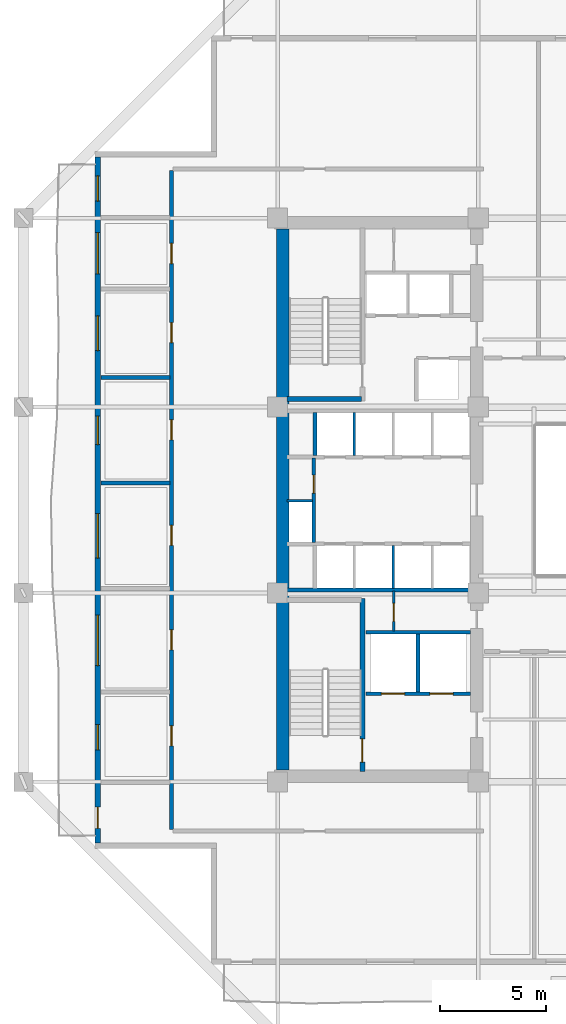
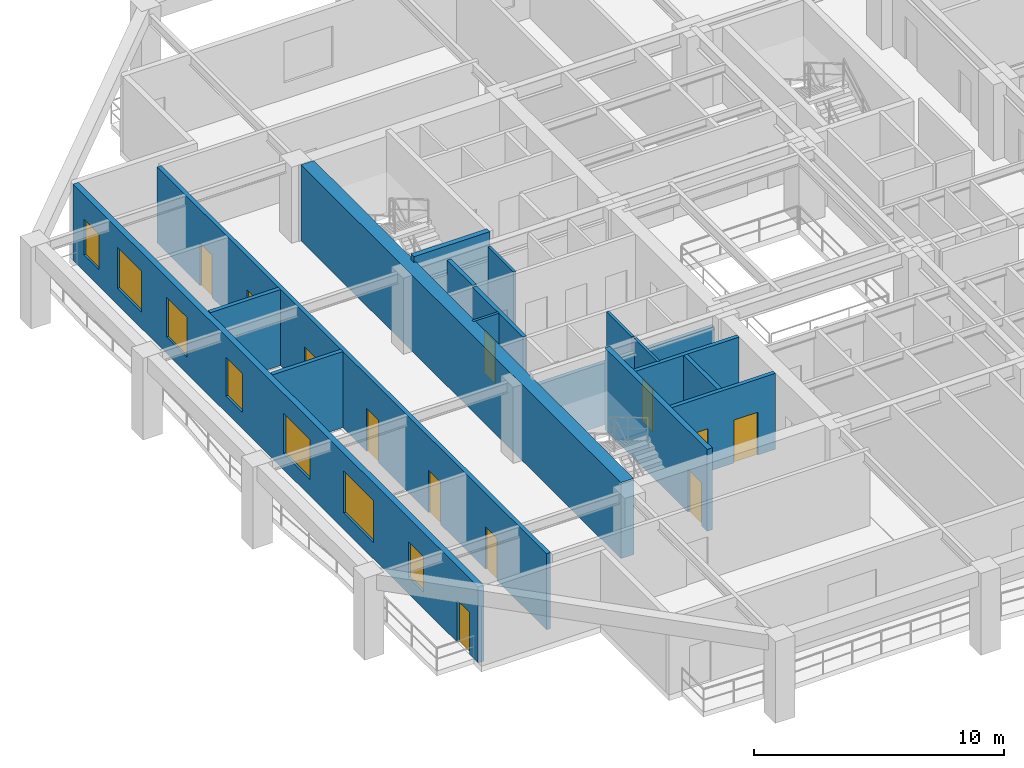
# One storey, part 3 of 14: 17 walls, 12 doors, 7 windows, 19 openings.
"""IFC4 building model written with IfcOpenShell, lengths in metres."""

from ifc_helpers import new_model, si_unit, direction, frame, frame_2d, origin, place, context, subcontext, project, spatial, rectangle, extrude, material, layer, layer_set, type_object, element, fill, save


model = new_model("IFC4")

# Units and contexts
model_context = context("Model", 3, precision=1e-05, world=origin(), true_north=direction((0.0, 1.0)))
body_context = subcontext(model_context, "Body", "Model", "MODEL_VIEW")
ifc_project = project(units=[si_unit("LENGTHUNIT", "METRE"), si_unit("AREAUNIT", "SQUARE_METRE"), si_unit("VOLUMEUNIT", "CUBIC_METRE"), si_unit("PLANEANGLEUNIT", "RADIAN"), si_unit("MASSUNIT", "GRAM", prefix="KILO")], contexts=[model_context])

# Site, building, storey
site_placement = place(None, origin())
site = spatial("IfcSite", under=ifc_project, at=site_placement, CompositionType="ELEMENT")
building_placement = place(site_placement, origin())
building = spatial("IfcBuilding", under=site, at=building_placement, Name="Kundavana Baori Tower", CompositionType="ELEMENT")
storey_placement = place(building_placement, frame((0.0, 0.0, 74.0)))
storey = spatial("IfcBuildingStorey", under=building, at=storey_placement, Name="L17", CompositionType="ELEMENT", Elevation=74.0)

# Wall, opening, door
ifc_material_1 = material(Name="Concrete C50/60", Category="concrete")
ifc_layer_1 = layer(ifc_material_1, 0.39990234375, Name="WL-CORE-400")
ifc_layer_set_1 = layer_set([ifc_layer_1], Name="Concrete C50/60")
wall_type_1 = type_object("IfcWallType", Name="WL-CORE-400", PredefinedType="SHEAR", material=ifc_layer_set_1)
wall_1_placement = place(storey_placement, frame((19.4599609375, 15.739990234375, 0.0), z_axis=(0.0, 0.0, 1.0), x_axis=(0.0, 1.0, 0.0)))
wall_1 = element("IfcWall", 1, at=wall_1_placement, inside=storey, type_object=wall_type_1, Name="WL-L17-ST1-E", PredefinedType="SHEAR", context=body_context, shape_type="SweptSolid", body=[
    extrude(rectangle(XDim=8.199951171875, YDim=0.239990234375, at=frame_2d((4.10009765625, 0.0))), origin(), (0.0, 0.0, 1.0), 4.0),
])
opening_1_placement = place(wall_1_placement, frame((0.449951171875, 0.0, 0.0)))
opening_1 = element("IfcOpeningElement", 2, at=opening_1_placement, cuts=wall_1, Name="Opening FD-110", PredefinedType="OPENING", context=body_context, shape_type="SweptSolid", body=[
    extrude(rectangle(XDim=1.10009765625, YDim=2.10009765625, at=frame_2d((0.550048828125, 1.050048828125))), frame((0.0, 0.1298828125, 0.0), z_axis=(0.0, -1.0, 0.0), x_axis=(1.0, 0.0, 0.0)), (0.0, 0.0, 1.0), 0.260009765625),
])
ifc_material_2 = material(Name="Galvanised Steel Fire-Rated Door Leaf", Category="steel")
door_type_1 = type_object("IfcDoorType", Name="DR-FD120-1100", OperationType="NOTDEFINED", PredefinedType="DOOR", material=ifc_material_2)
door_1_placement = place(opening_1_placement, origin())
door_1 = element("IfcDoor", 3, at=door_1_placement, inside=storey, type_object=door_type_1, Name="DR-L17-ST1", OperationType="SINGLE_SWING_LEFT", OverallHeight=2.10009765625, OverallWidth=1.10009765625, PredefinedType="DOOR", context=body_context, shape_type="SweptSolid", body=[
    extrude(rectangle(XDim=1.10009765625, YDim=2.10009765625, at=frame_2d((0.550048828125, 1.050048828125))), frame((0.0, 0.02490234375, 0.0), z_axis=(0.0, -1.0, 0.0), x_axis=(1.0, 0.0, 0.0)), (0.0, 0.0, 1.0), 0.050048828125),
])
fill(opening_1, door_1)

# Walls
wall_2_placement = place(storey_placement, frame((15.89990234375, 33.389892578125, 0.0), z_axis=(0.0, 0.0, 1.0), x_axis=(1.0, 0.0, 0.0)))
element("IfcWall", 4, at=wall_2_placement, inside=storey, type_object=wall_type_1, Name="WL-L17-ST2-S", PredefinedType="SHEAR", context=body_context, shape_type="SweptSolid", body=[
    extrude(rectangle(XDim=3.52001953125, YDim=0.239990234375, at=frame_2d((1.760009765625, 0.0))), origin(), (0.0, 0.0, 1.0), 4.0),
])
ifc_material_3 = material(Name="Concrete C60/75", Category="concrete")
ifc_layer_2 = layer(ifc_material_3, 0.60009765625, Name="WL-CORE-600")
ifc_layer_set_2 = layer_set([ifc_layer_2], Name="Concrete C60/75")
wall_type_2 = type_object("IfcWallType", Name="WL-CORE-600", PredefinedType="SHEAR", material=ifc_layer_set_2)
wall_3_placement = place(storey_placement, frame((15.68994140625, 15.81005859375, 0.0), z_axis=(0.0, 0.0, 1.0), x_axis=(0.0, 1.0, 0.0)))
element("IfcWall", 5, at=wall_3_placement, inside=storey, type_object=wall_type_2, Name="L17 Offset Core West Shear Wall", PredefinedType="SHEAR", context=body_context, shape_type="SweptSolid", body=[
    extrude(rectangle(XDim=25.6298828125, YDim=0.60009765625, at=frame_2d((12.81494140625, 0.0))), origin(), (0.0, 0.0, 1.0), 3.719970703125),
])

# Wall, openings, door, windows
ifc_material_4 = material(Name="Kiln-Fired Terracotta Brick-Slip Masonry on Concrete C40/50", Category="masonry")
ifc_layer_3 = layer(ifc_material_4, 0.260009765625, Name="WL-EXT-BRK-260")
ifc_layer_set_3 = layer_set([ifc_layer_3], Name="Kiln-Fired Terracotta Brick-Slip Masonry on Concrete C40/50")
wall_type_3 = type_object("IfcWallType", Name="WL-EXT-BRK-260", PredefinedType="SOLIDWALL", material=ifc_layer_set_3)
wall_4_placement = place(storey_placement, frame((6.929931640625, 44.840087890625, 0.0), z_axis=(0.0, 0.0, 1.0), x_axis=(0.0, -1.0, 0.0)))
wall_4 = element("IfcWall", 6, at=wall_4_placement, inside=storey, type_object=wall_type_3, Name="L17 Exterior Insulated Facade Wall 10", PredefinedType="SOLIDWALL", context=body_context, shape_type="SweptSolid", body=[
    extrude(rectangle(XDim=32.47998046875, YDim=0.260009765625, at=frame_2d((16.239990234375, 0.0))), origin(), (0.0, 0.0, 1.0), 3.719970703125),
])
opening_2_placement = place(wall_4_placement, frame((30.7900390625, 0.0, 0.0)))
opening_2 = element("IfcOpeningElement", 7, at=opening_2_placement, cuts=wall_4, Name="Opening BD-1", PredefinedType="OPENING", context=body_context, shape_type="SweptSolid", body=[
    extrude(rectangle(XDim=1.0, YDim=2.050048828125, at=frame_2d((0.5, 1.02490234375))), frame((0.0, 0.14013671875, 0.0), z_axis=(0.0, -1.0, 0.0), x_axis=(1.0, 0.0, 0.0)), (0.0, 0.0, 1.0), 0.280029296875),
])
opening_3_placement = place(wall_4_placement, frame((26.8798828125, 0.0, 0.800048828125)))
opening_3 = element("IfcOpeningElement", 8, at=opening_3_placement, cuts=wall_4, Name="Opening W-03", PredefinedType="OPENING", context=body_context, shape_type="SweptSolid", body=[
    extrude(rectangle(XDim=1.199951171875, YDim=1.75, at=frame_2d((0.60009765625, 0.875))), frame((0.0, 0.14013671875, 0.0), z_axis=(0.0, -1.0, 0.0), x_axis=(1.0, 0.0, 0.0)), (0.0, 0.0, 1.0), 0.280029296875),
])
opening_4_placement = place(wall_4_placement, frame((21.68994140625, 0.0, 0.800048828125)))
opening_4 = element("IfcOpeningElement", 9, at=opening_4_placement, cuts=wall_4, Name="Opening W-04", PredefinedType="OPENING", context=body_context, shape_type="SweptSolid", body=[
    extrude(rectangle(XDim=2.39990234375, YDim=2.050048828125, at=frame_2d((1.199951171875, 1.02490234375))), frame((0.0, 0.14013671875, 0.0), z_axis=(0.0, -1.0, 0.0), x_axis=(1.0, 0.0, 0.0)), (0.0, 0.0, 1.0), 0.280029296875),
])
opening_5_placement = place(wall_4_placement, frame((16.889892578125, 0.0, 0.800048828125)))
opening_5 = element("IfcOpeningElement", 10, at=opening_5_placement, cuts=wall_4, Name="Opening W-05", PredefinedType="OPENING", context=body_context, shape_type="SweptSolid", body=[
    extrude(rectangle(XDim=2.10009765625, YDim=1.949951171875, at=frame_2d((1.050048828125, 0.97509765625))), frame((0.0, 0.14013671875, 0.0), z_axis=(0.0, -1.0, 0.0), x_axis=(1.0, 0.0, 0.0)), (0.0, 0.0, 1.0), 0.280029296875),
])
opening_6_placement = place(wall_4_placement, frame((12.264892578125, 0.0, 0.800048828125)))
opening_6 = element("IfcOpeningElement", 11, at=opening_6_placement, cuts=wall_4, Name="Opening W-07", PredefinedType="OPENING", context=body_context, shape_type="SweptSolid", body=[
    extrude(rectangle(XDim=1.35009765625, YDim=1.89990234375, at=frame_2d((0.675048828125, 0.949951171875))), frame((0.0, 0.14013671875, 0.0), z_axis=(0.0, -1.0, 0.0), x_axis=(1.0, 0.0, 0.0)), (0.0, 0.0, 1.0), 0.280029296875),
])
opening_7_placement = place(wall_4_placement, frame((7.514892578125, 0.0, 0.800048828125)))
opening_7 = element("IfcOpeningElement", 12, at=opening_7_placement, cuts=wall_4, Name="Opening W-08", PredefinedType="OPENING", context=body_context, shape_type="SweptSolid", body=[
    extrude(rectangle(XDim=1.64990234375, YDim=1.949951171875, at=frame_2d((0.824951171875, 0.97509765625))), frame((0.0, 0.14013671875, 0.0), z_axis=(0.0, -1.0, 0.0), x_axis=(1.0, 0.0, 0.0)), (0.0, 0.0, 1.0), 0.280029296875),
])
opening_8_placement = place(wall_4_placement, frame((3.574951171875, 0.0, 0.800048828125)))
opening_8 = element("IfcOpeningElement", 13, at=opening_8_placement, cuts=wall_4, Name="Opening W-09", PredefinedType="OPENING", context=body_context, shape_type="SweptSolid", body=[
    extrude(rectangle(XDim=1.949951171875, YDim=2.0, at=frame_2d((0.97509765625, 1.0))), frame((0.0, 0.14013671875, 0.0), z_axis=(0.0, -1.0, 0.0), x_axis=(1.0, 0.0, 0.0)), (0.0, 0.0, 1.0), 0.280029296875),
])
opening_9_placement = place(wall_4_placement, frame((0.885009765625, 0.0, 0.800048828125)))
opening_9 = element("IfcOpeningElement", 14, at=opening_9_placement, cuts=wall_4, Name="Opening W-03", PredefinedType="OPENING", context=body_context, shape_type="SweptSolid", body=[
    extrude(rectangle(XDim=1.199951171875, YDim=1.75, at=frame_2d((0.60009765625, 0.875))), frame((0.0, 0.14013671875, 0.0), z_axis=(0.0, -1.0, 0.0), x_axis=(1.0, 0.0, 0.0)), (0.0, 0.0, 1.0), 0.280029296875),
])
ifc_material_5 = material(Name="Architectural Patinated Bronze Metalwork")
door_type_2 = type_object("IfcDoorType", Name="DR-EXT-LOG-1000", OperationType="NOTDEFINED", PredefinedType="DOOR", material=ifc_material_5)
door_2_placement = place(opening_2_placement, frame((1.0, 0.0, 0.0), z_axis=(0.0, 0.0, 1.0), x_axis=(-1.0, 0.0, 0.0)))
door_2 = element("IfcDoor", 15, at=door_2_placement, inside=storey, type_object=door_type_2, Name="L17 Loggia Balcony Access Door W", OperationType="SINGLE_SWING_RIGHT", OverallHeight=2.050048828125, OverallWidth=1.0, PredefinedType="DOOR", context=body_context, shape_type="SweptSolid", body=[
    extrude(rectangle(XDim=1.0, YDim=2.050048828125, at=frame_2d((0.5, 1.02490234375))), frame((0.0, 0.02490234375, 0.0), z_axis=(0.0, -1.0, 0.0), x_axis=(1.0, 0.0, 0.0)), (0.0, 0.0, 1.0), 0.050048828125),
])
fill(opening_2, door_2)
ifc_material_6 = material(Name="Double-Glazed Solar-Control Low-E Insulated Glass", Category="glass")
window_type_1 = type_object("IfcWindowType", Name="WIN-LOG-1200x1750", PartitioningType="SINGLE_PANEL", PredefinedType="WINDOW", material=ifc_material_6)
window_1_placement = place(opening_3_placement, origin())
window_1 = element("IfcWindow", 16, at=window_1_placement, inside=storey, type_object=window_type_1, Name="L17 Recessed Loggia Window W-2", OverallHeight=1.75, OverallWidth=1.199951171875, PartitioningType="SINGLE_PANEL", PredefinedType="WINDOW", context=body_context, shape_type="SweptSolid", body=[
    extrude(rectangle(XDim=1.199951171875, YDim=1.75, at=frame_2d((0.60009765625, 0.875))), frame((0.0, 0.030029296875, 0.0), z_axis=(0.0, -1.0, 0.0), x_axis=(1.0, 0.0, 0.0)), (0.0, 0.0, 1.0), 0.06005859375),
])
fill(opening_3, window_1)
window_2_placement = place(opening_9_placement, origin())
window_2 = element("IfcWindow", 17, at=window_2_placement, inside=storey, type_object=window_type_1, Name="L17 Recessed Loggia Window W-8", OverallHeight=1.75, OverallWidth=1.199951171875, PartitioningType="SINGLE_PANEL", PredefinedType="WINDOW", context=body_context, shape_type="SweptSolid", body=[
    extrude(rectangle(XDim=1.199951171875, YDim=1.75, at=frame_2d((0.60009765625, 0.875))), frame((0.0, 0.030029296875, 0.0), z_axis=(0.0, -1.0, 0.0), x_axis=(1.0, 0.0, 0.0)), (0.0, 0.0, 1.0), 0.06005859375),
])
fill(opening_9, window_2)
ifc_material_7 = material(Name="Double-Glazed Solar-Control Low-E Insulated Glass", Category="glass")
window_type_2 = type_object("IfcWindowType", Name="WIN-LOG-1350x1900", PartitioningType="SINGLE_PANEL", PredefinedType="WINDOW", material=ifc_material_7)
window_3_placement = place(opening_6_placement, origin())
window_3 = element("IfcWindow", 18, at=window_3_placement, inside=storey, type_object=window_type_2, Name="L17 Recessed Loggia Window W-5", OverallHeight=1.89990234375, OverallWidth=1.35009765625, PartitioningType="SINGLE_PANEL", PredefinedType="WINDOW", context=body_context, shape_type="SweptSolid", body=[
    extrude(rectangle(XDim=1.35009765625, YDim=1.89990234375, at=frame_2d((0.675048828125, 0.949951171875))), frame((0.0, 0.030029296875, 0.0), z_axis=(0.0, -1.0, 0.0), x_axis=(1.0, 0.0, 0.0)), (0.0, 0.0, 1.0), 0.06005859375),
])
fill(opening_6, window_3)
ifc_material_8 = material(Name="Double-Glazed Solar-Control Low-E Insulated Glass", Category="glass")
window_type_3 = type_object("IfcWindowType", Name="WIN-LOG-1650x1950", PartitioningType="SINGLE_PANEL", PredefinedType="WINDOW", material=ifc_material_8)
window_4_placement = place(opening_7_placement, origin())
window_4 = element("IfcWindow", 19, at=window_4_placement, inside=storey, type_object=window_type_3, Name="L17 Recessed Loggia Window W-6", OverallHeight=1.949951171875, OverallWidth=1.64990234375, PartitioningType="SINGLE_PANEL", PredefinedType="WINDOW", context=body_context, shape_type="SweptSolid", body=[
    extrude(rectangle(XDim=1.64990234375, YDim=1.949951171875, at=frame_2d((0.824951171875, 0.97509765625))), frame((0.0, 0.030029296875, 0.0), z_axis=(0.0, -1.0, 0.0), x_axis=(1.0, 0.0, 0.0)), (0.0, 0.0, 1.0), 0.06005859375),
])
fill(opening_7, window_4)
ifc_material_9 = material(Name="Double-Glazed Solar-Control Low-E Insulated Glass", Category="glass")
window_type_4 = type_object("IfcWindowType", Name="WIN-LOG-1950x2000", PartitioningType="SINGLE_PANEL", PredefinedType="WINDOW", material=ifc_material_9)
window_5_placement = place(opening_8_placement, origin())
window_5 = element("IfcWindow", 20, at=window_5_placement, inside=storey, type_object=window_type_4, Name="L17 Recessed Loggia Window W-7", OverallHeight=2.0, OverallWidth=1.949951171875, PartitioningType="SINGLE_PANEL", PredefinedType="WINDOW", context=body_context, shape_type="SweptSolid", body=[
    extrude(rectangle(XDim=1.949951171875, YDim=2.0, at=frame_2d((0.97509765625, 1.0))), frame((0.0, 0.030029296875, 0.0), z_axis=(0.0, -1.0, 0.0), x_axis=(1.0, 0.0, 0.0)), (0.0, 0.0, 1.0), 0.06005859375),
])
fill(opening_8, window_5)
ifc_material_10 = material(Name="Double-Glazed Solar-Control Low-E Insulated Glass", Category="glass")
window_type_5 = type_object("IfcWindowType", Name="WIN-LOG-2100x1950", PartitioningType="SINGLE_PANEL", PredefinedType="WINDOW", material=ifc_material_10)
window_6_placement = place(opening_5_placement, origin())
window_6 = element("IfcWindow", 21, at=window_6_placement, inside=storey, type_object=window_type_5, Name="L17 Recessed Loggia Window W-4", OverallHeight=1.949951171875, OverallWidth=2.10009765625, PartitioningType="SINGLE_PANEL", PredefinedType="WINDOW", context=body_context, shape_type="SweptSolid", body=[
    extrude(rectangle(XDim=2.10009765625, YDim=1.949951171875, at=frame_2d((1.050048828125, 0.97509765625))), frame((0.0, 0.030029296875, 0.0), z_axis=(0.0, -1.0, 0.0), x_axis=(1.0, 0.0, 0.0)), (0.0, 0.0, 1.0), 0.06005859375),
])
fill(opening_5, window_6)
ifc_material_11 = material(Name="Double-Glazed Solar-Control Low-E Insulated Glass", Category="glass")
window_type_6 = type_object("IfcWindowType", Name="WIN-LOG-2400x2050", PartitioningType="SINGLE_PANEL", PredefinedType="WINDOW", material=ifc_material_11)
window_7_placement = place(opening_4_placement, origin())
window_7 = element("IfcWindow", 22, at=window_7_placement, inside=storey, type_object=window_type_6, Name="L17 Recessed Loggia Window W-3", OverallHeight=2.050048828125, OverallWidth=2.39990234375, PartitioningType="SINGLE_PANEL", PredefinedType="WINDOW", context=body_context, shape_type="SweptSolid", body=[
    extrude(rectangle(XDim=2.39990234375, YDim=2.050048828125, at=frame_2d((1.199951171875, 1.02490234375))), frame((0.0, 0.030029296875, 0.0), z_axis=(0.0, -1.0, 0.0), x_axis=(1.0, 0.0, 0.0)), (0.0, 0.0, 1.0), 0.06005859375),
])
fill(opening_4, window_7)

# Wall, opening, door
ifc_material_12 = material(Name="Acoustic Gypsum Plasterboard on Galvanised Steel Studs", Category="steel")
ifc_layer_4 = layer(ifc_material_12, 0.1201171875, Name="WL-PART-120")
ifc_layer_set_4 = layer_set([ifc_layer_4], Name="Acoustic Gypsum Plasterboard on Galvanised Steel Studs")
wall_type_4 = type_object("IfcWallType", Name="WL-PART-120", PredefinedType="PARTITIONING", material=ifc_layer_set_4)
wall_5_placement = place(storey_placement, frame((20.949951171875, 22.39990234375, 0.0), z_axis=(0.0, 0.0, 1.0), x_axis=(0.0, 1.0, 0.0)))
wall_5 = element("IfcWall", 23, at=wall_5_placement, inside=storey, type_object=wall_type_4, Name="WL-L17-CSMK-D2", PredefinedType="PARTITIONING", context=body_context, shape_type="SweptSolid", body=[
    extrude(rectangle(XDim=1.880126953125, YDim=0.1201171875, at=frame_2d((0.93994140625, 0.0))), origin(), (0.0, 0.0, 1.0), 3.719970703125),
])
opening_10_placement = place(wall_5_placement, frame((0.449951171875, 0.0, 0.0)))
opening_10 = element("IfcOpeningElement", 24, at=opening_10_placement, cuts=wall_5, Name="Opening FD-085", PredefinedType="OPENING", context=body_context, shape_type="SweptSolid", body=[
    extrude(rectangle(XDim=0.85009765625, YDim=2.06005859375, at=frame_2d((0.425048828125, 1.030029296875))), frame((0.0, 0.070068359375, 0.0), z_axis=(0.0, -1.0, 0.0), x_axis=(1.0, 0.0, 0.0)), (0.0, 0.0, 1.0), 0.14013671875),
])
ifc_material_13 = material(Name="Galvanised Steel Fire-Rated Door Leaf", Category="steel")
door_type_3 = type_object("IfcDoorType", Name="DR-FD60-850", OperationType="NOTDEFINED", PredefinedType="DOOR", material=ifc_material_13)
door_3_placement = place(opening_10_placement, origin())
door_3 = element("IfcDoor", 25, at=door_3_placement, inside=storey, type_object=door_type_3, Name="DR-L17-CSMK1", OperationType="SINGLE_SWING_RIGHT", OverallHeight=2.06005859375, OverallWidth=0.85009765625, PredefinedType="DOOR", context=body_context, shape_type="SweptSolid", body=[
    extrude(rectangle(XDim=0.85009765625, YDim=2.06005859375, at=frame_2d((0.425048828125, 1.030029296875))), frame((0.0, 0.02490234375, 0.0), z_axis=(0.0, -1.0, 0.0), x_axis=(1.0, 0.0, 0.0)), (0.0, 0.0, 1.0), 0.050048828125),
])
fill(opening_10, door_3)

# Walls
wall_6_placement = place(storey_placement, frame((20.919921875, 24.39990234375, 0.0), z_axis=(0.0, 0.0, 1.0), x_axis=(0.0, 1.0, 0.0)))
element("IfcWall", 26, at=wall_6_placement, inside=storey, type_object=wall_type_4, Name="WL-L17-LPLOW-D2", PredefinedType="PARTITIONING", context=body_context, shape_type="SweptSolid", body=[
    extrude(rectangle(XDim=2.050048828125, YDim=0.1201171875, at=frame_2d((1.02490234375, 0.0))), origin(), (0.0, 0.0, 1.0), 3.719970703125),
])
wall_7_placement = place(storey_placement, frame((15.89990234375, 28.56005859375, 0.0), z_axis=(0.0, 0.0, 1.0), x_axis=(1.0, 0.0, 0.0)))
element("IfcWall", 27, at=wall_7_placement, inside=storey, type_object=wall_type_4, Name="WL-L17-RSRW-N", PredefinedType="PARTITIONING", context=body_context, shape_type="SweptSolid", body=[
    extrude(rectangle(XDim=1.2001953125, YDim=0.1201171875, at=frame_2d((0.60009765625, 0.0))), origin(), (0.0, 0.0, 1.0), 3.719970703125),
])
wall_8_placement = place(storey_placement, frame((19.080078125, 30.699951171875, 0.0), z_axis=(0.0, 0.0, 1.0), x_axis=(0.0, 1.0, 0.0)))
element("IfcWall", 28, at=wall_8_placement, inside=storey, type_object=wall_type_4, Name="WL-L17-LPMID-D1", PredefinedType="PARTITIONING", context=body_context, shape_type="SweptSolid", body=[
    extrude(rectangle(XDim=2.050048828125, YDim=0.1201171875, at=frame_2d((1.02490234375, 0.0))), origin(), (0.0, 0.0, 1.0), 3.719970703125),
])

# Wall, openings, doors
ifc_material_14 = material(Name="Autoclaved Aerated Concrete Blockwork Masonry", Category="masonry")
ifc_layer_5 = layer(ifc_material_14, 0.18505859375, Name="WL-PART-180")
ifc_layer_set_5 = layer_set([ifc_layer_5], Name="Autoclaved Aerated Concrete Blockwork Masonry")
wall_type_5 = type_object("IfcWallType", Name="WL-PART-180", PredefinedType="SOLIDWALL", material=ifc_layer_set_5)
wall_9_placement = place(storey_placement, frame((10.419921875, 13.0, 0.0), z_axis=(0.0, 0.0, 1.0), x_axis=(0.0, 1.0, 0.0)))
wall_9 = element("IfcWall", 29, at=wall_9_placement, inside=storey, type_object=wall_type_5, Name="WL-L17-OW", PredefinedType="SOLIDWALL", context=body_context, shape_type="SweptSolid", body=[
    extrude(rectangle(XDim=31.199951171875, YDim=0.18505859375, at=frame_2d((15.60009765625, 0.0))), origin(), (0.0, 0.0, 1.0), 3.719970703125),
])
opening_11_placement = place(wall_9_placement, frame((3.949951171875, 0.0, 0.0)))
opening_11 = element("IfcOpeningElement", 30, at=opening_11_placement, cuts=wall_9, Name="Opening ID-095", PredefinedType="OPENING", context=body_context, shape_type="SweptSolid", body=[
    extrude(rectangle(XDim=0.949951171875, YDim=2.080078125, at=frame_2d((0.47509765625, 1.0400390625))), frame((0.0, 0.1025390625, 0.0), z_axis=(0.0, -1.0, 0.0), x_axis=(1.0, 0.0, 0.0)), (0.0, 0.0, 1.0), 0.205078125),
])
opening_12_placement = place(wall_9_placement, frame((8.5, 0.0, 0.0)))
opening_12 = element("IfcOpeningElement", 31, at=opening_12_placement, cuts=wall_9, Name="Opening ID-095", PredefinedType="OPENING", context=body_context, shape_type="SweptSolid", body=[
    extrude(rectangle(XDim=0.949951171875, YDim=2.080078125, at=frame_2d((0.47509765625, 1.0400390625))), frame((0.0, 0.1025390625, 0.0), z_axis=(0.0, -1.0, 0.0), x_axis=(1.0, 0.0, 0.0)), (0.0, 0.0, 1.0), 0.205078125),
])
opening_13_placement = place(wall_9_placement, frame((13.449951171875, 0.0, 0.0)))
opening_13 = element("IfcOpeningElement", 32, at=opening_13_placement, cuts=wall_9, Name="Opening ID-095", PredefinedType="OPENING", context=body_context, shape_type="SweptSolid", body=[
    extrude(rectangle(XDim=0.949951171875, YDim=2.080078125, at=frame_2d((0.47509765625, 1.0400390625))), frame((0.0, 0.1025390625, 0.0), z_axis=(0.0, -1.0, 0.0), x_axis=(1.0, 0.0, 0.0)), (0.0, 0.0, 1.0), 0.205078125),
])
opening_14_placement = place(wall_9_placement, frame((18.449951171875, 0.0, 0.0)))
opening_14 = element("IfcOpeningElement", 33, at=opening_14_placement, cuts=wall_9, Name="Opening ID-095", PredefinedType="OPENING", context=body_context, shape_type="SweptSolid", body=[
    extrude(rectangle(XDim=0.949951171875, YDim=2.080078125, at=frame_2d((0.47509765625, 1.0400390625))), frame((0.0, 0.1025390625, 0.0), z_axis=(0.0, -1.0, 0.0), x_axis=(1.0, 0.0, 0.0)), (0.0, 0.0, 1.0), 0.205078125),
])
opening_15_placement = place(wall_9_placement, frame((23.050048828125, 0.0, 0.0)))
opening_15 = element("IfcOpeningElement", 34, at=opening_15_placement, cuts=wall_9, Name="Opening ID-095", PredefinedType="OPENING", context=body_context, shape_type="SweptSolid", body=[
    extrude(rectangle(XDim=0.949951171875, YDim=2.080078125, at=frame_2d((0.47509765625, 1.0400390625))), frame((0.0, 0.1025390625, 0.0), z_axis=(0.0, -1.0, 0.0), x_axis=(1.0, 0.0, 0.0)), (0.0, 0.0, 1.0), 0.205078125),
])
opening_16_placement = place(wall_9_placement, frame((26.800048828125, 0.0, 0.0)))
opening_16 = element("IfcOpeningElement", 35, at=opening_16_placement, cuts=wall_9, Name="Opening ID-095", PredefinedType="OPENING", context=body_context, shape_type="SweptSolid", body=[
    extrude(rectangle(XDim=0.949951171875, YDim=2.080078125, at=frame_2d((0.47509765625, 1.0400390625))), frame((0.0, 0.1025390625, 0.0), z_axis=(0.0, -1.0, 0.0), x_axis=(1.0, 0.0, 0.0)), (0.0, 0.0, 1.0), 0.205078125),
])
ifc_material_15 = material(Name="Engineered Teak Solid-Core Timber Veneer", Category="wood")
door_type_4 = type_object("IfcDoorType", Name="DR-INT-950", OperationType="NOTDEFINED", PredefinedType="DOOR", material=ifc_material_15)
door_4_placement = place(opening_11_placement, frame((0.949951171875, 0.0, 0.0), z_axis=(0.0, 0.0, 1.0), x_axis=(-1.0, 0.0, 0.0)))
door_4 = element("IfcDoor", 36, at=door_4_placement, inside=storey, type_object=door_type_4, Name="DR-L17-OFW1", OperationType="SINGLE_SWING_LEFT", OverallHeight=2.080078125, OverallWidth=0.949951171875, PredefinedType="DOOR", context=body_context, shape_type="SweptSolid", body=[
    extrude(rectangle(XDim=0.949951171875, YDim=2.080078125, at=frame_2d((0.47509765625, 1.0400390625))), frame((0.0, 0.02490234375, 0.0), z_axis=(0.0, -1.0, 0.0), x_axis=(1.0, 0.0, 0.0)), (0.0, 0.0, 1.0), 0.050048828125),
])
fill(opening_11, door_4)
door_5_placement = place(opening_12_placement, frame((0.949951171875, 0.0, 0.0), z_axis=(0.0, 0.0, 1.0), x_axis=(-1.0, 0.0, 0.0)))
door_5 = element("IfcDoor", 37, at=door_5_placement, inside=storey, type_object=door_type_4, Name="DR-L17-OFW2", OperationType="SINGLE_SWING_RIGHT", OverallHeight=2.080078125, OverallWidth=0.949951171875, PredefinedType="DOOR", context=body_context, shape_type="SweptSolid", body=[
    extrude(rectangle(XDim=0.949951171875, YDim=2.080078125, at=frame_2d((0.47509765625, 1.0400390625))), frame((0.0, 0.02490234375, 0.0), z_axis=(0.0, -1.0, 0.0), x_axis=(1.0, 0.0, 0.0)), (0.0, 0.0, 1.0), 0.050048828125),
])
fill(opening_12, door_5)
door_6_placement = place(opening_13_placement, frame((0.949951171875, 0.0, 0.0), z_axis=(0.0, 0.0, 1.0), x_axis=(-1.0, 0.0, 0.0)))
door_6 = element("IfcDoor", 38, at=door_6_placement, inside=storey, type_object=door_type_4, Name="DR-L17-OFW3", OperationType="SINGLE_SWING_LEFT", OverallHeight=2.080078125, OverallWidth=0.949951171875, PredefinedType="DOOR", context=body_context, shape_type="SweptSolid", body=[
    extrude(rectangle(XDim=0.949951171875, YDim=2.080078125, at=frame_2d((0.47509765625, 1.0400390625))), frame((0.0, 0.02490234375, 0.0), z_axis=(0.0, -1.0, 0.0), x_axis=(1.0, 0.0, 0.0)), (0.0, 0.0, 1.0), 0.050048828125),
])
fill(opening_13, door_6)
door_7_placement = place(opening_14_placement, frame((0.949951171875, 0.0, 0.0), z_axis=(0.0, 0.0, 1.0), x_axis=(-1.0, 0.0, 0.0)))
door_7 = element("IfcDoor", 39, at=door_7_placement, inside=storey, type_object=door_type_4, Name="DR-L17-OFW4", OperationType="SINGLE_SWING_RIGHT", OverallHeight=2.080078125, OverallWidth=0.949951171875, PredefinedType="DOOR", context=body_context, shape_type="SweptSolid", body=[
    extrude(rectangle(XDim=0.949951171875, YDim=2.080078125, at=frame_2d((0.47509765625, 1.0400390625))), frame((0.0, 0.02490234375, 0.0), z_axis=(0.0, -1.0, 0.0), x_axis=(1.0, 0.0, 0.0)), (0.0, 0.0, 1.0), 0.050048828125),
])
fill(opening_14, door_7)
door_8_placement = place(opening_15_placement, frame((0.949951171875, 0.0, 0.0), z_axis=(0.0, 0.0, 1.0), x_axis=(-1.0, 0.0, 0.0)))
door_8 = element("IfcDoor", 40, at=door_8_placement, inside=storey, type_object=door_type_4, Name="DR-L17-OFW5", OperationType="SINGLE_SWING_LEFT", OverallHeight=2.080078125, OverallWidth=0.949951171875, PredefinedType="DOOR", context=body_context, shape_type="SweptSolid", body=[
    extrude(rectangle(XDim=0.949951171875, YDim=2.080078125, at=frame_2d((0.47509765625, 1.0400390625))), frame((0.0, 0.02490234375, 0.0), z_axis=(0.0, -1.0, 0.0), x_axis=(1.0, 0.0, 0.0)), (0.0, 0.0, 1.0), 0.050048828125),
])
fill(opening_15, door_8)
door_9_placement = place(opening_16_placement, frame((0.949951171875, 0.0, 0.0), z_axis=(0.0, 0.0, 1.0), x_axis=(-1.0, 0.0, 0.0)))
door_9 = element("IfcDoor", 41, at=door_9_placement, inside=storey, type_object=door_type_4, Name="DR-L17-OFW6", OperationType="SINGLE_SWING_RIGHT", OverallHeight=2.080078125, OverallWidth=0.949951171875, PredefinedType="DOOR", context=body_context, shape_type="SweptSolid", body=[
    extrude(rectangle(XDim=0.949951171875, YDim=2.080078125, at=frame_2d((0.47509765625, 1.0400390625))), frame((0.0, 0.02490234375, 0.0), z_axis=(0.0, -1.0, 0.0), x_axis=(1.0, 0.0, 0.0)), (0.0, 0.0, 1.0), 0.050048828125),
])
fill(opening_16, door_9)

# Walls
for number, where, z_axis, x_axis, name in (
    (42, (7.080078125, 29.39990234375, 0.0), (0.0, 0.0, 1.0), (1.0, 0.0, 0.0), "WL-L17-WD3"),
    (43, (7.080078125, 34.39990234375, 0.0), (0.0, 0.0, 1.0), (1.0, 0.0, 0.0), "WL-L17-WD4"),
):
    element("IfcWall", number, at=place(storey_placement, frame(where, z_axis=z_axis, x_axis=x_axis)), inside=storey, type_object=wall_type_5, Name=name, PredefinedType="SOLIDWALL", context=body_context, shape_type="SweptSolid", body=[
        extrude(rectangle(XDim=3.260009765625, YDim=0.18505859375, at=frame_2d((1.6298828125, 0.0))), origin(), (0.0, 0.0, 1.0), 3.719970703125),
    ])

# Wall, openings, doors
ifc_material_16 = material(Name="Autoclaved Aerated Concrete Blockwork Masonry", Category="masonry")
ifc_layer_6 = layer(ifc_material_16, 0.179931640625, Name="WL-SHAFT-180")
ifc_layer_set_6 = layer_set([ifc_layer_6], Name="Autoclaved Aerated Concrete Blockwork Masonry")
wall_type_6 = type_object("IfcWallType", Name="WL-SHAFT-180", PredefinedType="SOLIDWALL", material=ifc_layer_set_6)
wall_10_placement = place(storey_placement, frame((19.639892578125, 19.419921875, 0.0), z_axis=(0.0, 0.0, 1.0), x_axis=(1.0, 0.0, 0.0)))
wall_10 = element("IfcWall", 44, at=wall_10_placement, inside=storey, type_object=wall_type_6, Name="WL-L17-FFL-S", PredefinedType="SOLIDWALL", context=body_context, shape_type="SweptSolid", body=[
    extrude(rectangle(XDim=4.940185546875, YDim=0.179931640625, at=frame_2d((2.47021484375, 0.0))), origin(), (0.0, 0.0, 1.0), 3.719970703125),
])
opening_17_placement = place(wall_10_placement, frame((0.719970703125, 0.0, 0.0)))
opening_17 = element("IfcOpeningElement", 45, at=opening_17_placement, cuts=wall_10, Name="Opening LD-110", PredefinedType="OPENING", context=body_context, shape_type="SweptSolid", body=[
    extrude(rectangle(XDim=1.10009765625, YDim=2.10009765625, at=frame_2d((0.550048828125, 1.050048828125))), frame((0.0, 0.10009765625, 0.0), z_axis=(0.0, -1.0, 0.0), x_axis=(1.0, 0.0, 0.0)), (0.0, 0.0, 1.0), 0.199951171875),
])
opening_18_placement = place(wall_10_placement, frame((3.02001953125, 0.0, 0.0)))
opening_18 = element("IfcOpeningElement", 46, at=opening_18_placement, cuts=wall_10, Name="Opening LD-110", PredefinedType="OPENING", context=body_context, shape_type="SweptSolid", body=[
    extrude(rectangle(XDim=1.10009765625, YDim=2.10009765625, at=frame_2d((0.550048828125, 1.050048828125))), frame((0.0, 0.10009765625, 0.0), z_axis=(0.0, -1.0, 0.0), x_axis=(1.0, 0.0, 0.0)), (0.0, 0.0, 1.0), 0.199951171875),
])
ifc_material_17 = material(Name="Galvanised Steel Fire-Rated Door Leaf", Category="steel")
door_type_5 = type_object("IfcDoorType", Name="DR-SLIDE-LD1100", OperationType="NOTDEFINED", PredefinedType="DOOR", material=ifc_material_17)
door_10_placement = place(opening_17_placement, origin())
door_10 = element("IfcDoor", 47, at=door_10_placement, inside=storey, type_object=door_type_5, Name="DR-L17-LD-FFL-1", OperationType="DOUBLE_DOOR_SLIDING", OverallHeight=2.10009765625, OverallWidth=1.10009765625, PredefinedType="DOOR", context=body_context, shape_type="SweptSolid", body=[
    extrude(rectangle(XDim=1.10009765625, YDim=2.10009765625, at=frame_2d((0.550048828125, 1.050048828125))), frame((0.0, 0.02490234375, 0.0), z_axis=(0.0, -1.0, 0.0), x_axis=(1.0, 0.0, 0.0)), (0.0, 0.0, 1.0), 0.050048828125),
])
fill(opening_17, door_10)
door_11_placement = place(opening_18_placement, origin())
door_11 = element("IfcDoor", 48, at=door_11_placement, inside=storey, type_object=door_type_5, Name="DR-L17-LD-FFL-2", OperationType="DOUBLE_DOOR_SLIDING", OverallHeight=2.10009765625, OverallWidth=1.10009765625, PredefinedType="DOOR", context=body_context, shape_type="SweptSolid", body=[
    extrude(rectangle(XDim=1.10009765625, YDim=2.10009765625, at=frame_2d((0.550048828125, 1.050048828125))), frame((0.0, 0.02490234375, 0.0), z_axis=(0.0, -1.0, 0.0), x_axis=(1.0, 0.0, 0.0)), (0.0, 0.0, 1.0), 0.050048828125),
])
fill(opening_18, door_11)

# Walls
wall_11_placement = place(storey_placement, frame((22.10009765625, 19.510009765625, 0.0), z_axis=(0.0, 0.0, 1.0), x_axis=(0.0, 1.0, 0.0)))
element("IfcWall", 49, at=wall_11_placement, inside=storey, type_object=wall_type_6, Name="WL-L17-FFL-MID", PredefinedType="SOLIDWALL", context=body_context, shape_type="SweptSolid", body=[
    extrude(rectangle(XDim=2.739990234375, YDim=0.179931640625, at=frame_2d((1.3701171875, 0.0))), origin(), (0.0, 0.0, 1.0), 3.719970703125),
])
wall_12_placement = place(storey_placement, frame((19.639892578125, 22.340087890625, 0.0), z_axis=(0.0, 0.0, 1.0), x_axis=(1.0, 0.0, 0.0)))
element("IfcWall", 50, at=wall_12_placement, inside=storey, type_object=wall_type_6, Name="WL-L17-FFL-N", PredefinedType="SOLIDWALL", context=body_context, shape_type="SweptSolid", body=[
    extrude(rectangle(XDim=4.940185546875, YDim=0.179931640625, at=frame_2d((2.47021484375, 0.0))), origin(), (0.0, 0.0, 1.0), 3.719970703125),
])
wall_13_placement = place(storey_placement, frame((15.89990234375, 24.330078125, 0.0), z_axis=(0.0, 0.0, 1.0), x_axis=(1.0, 0.0, 0.0)))
element("IfcWall", 51, at=wall_13_placement, inside=storey, type_object=wall_type_6, Name="WL-L17-LPLOW-S", PredefinedType="SOLIDWALL", context=body_context, shape_type="SweptSolid", body=[
    extrude(rectangle(XDim=8.68017578125, YDim=0.179931640625, at=frame_2d((4.340087890625, 0.0))), origin(), (0.0, 0.0, 1.0), 3.02001953125),
])

# Wall, opening, door
wall_14_placement = place(storey_placement, frame((17.159912109375, 26.580078125, 0.0), z_axis=(0.0, 0.0, 1.0), x_axis=(0.0, 1.0, 0.0)))
wall_14 = element("IfcWall", 52, at=wall_14_placement, inside=storey, type_object=wall_type_6, Name="WL-L17-RSRW-E", PredefinedType="SOLIDWALL", context=body_context, shape_type="SweptSolid", body=[
    extrude(rectangle(XDim=4.02001953125, YDim=0.179931640625, at=frame_2d((2.010009765625, 0.0))), origin(), (0.0, 0.0, 1.0), 3.719970703125),
])
opening_19_placement = place(wall_14_placement, frame((2.35009765625, 0.0, 0.0)))
opening_19 = element("IfcOpeningElement", 53, at=opening_19_placement, cuts=wall_14, Name="Opening FD-085", PredefinedType="OPENING", context=body_context, shape_type="SweptSolid", body=[
    extrude(rectangle(XDim=0.85009765625, YDim=2.06005859375, at=frame_2d((0.425048828125, 1.030029296875))), frame((0.0, 0.10009765625, 0.0), z_axis=(0.0, -1.0, 0.0), x_axis=(1.0, 0.0, 0.0)), (0.0, 0.0, 1.0), 0.199951171875),
])
door_12_placement = place(opening_19_placement, origin())
door_12 = element("IfcDoor", 54, at=door_12_placement, inside=storey, type_object=door_type_3, Name="DR-L17-CLN", OperationType="SINGLE_SWING_RIGHT", OverallHeight=2.06005859375, OverallWidth=0.85009765625, PredefinedType="DOOR", context=body_context, shape_type="SweptSolid", body=[
    extrude(rectangle(XDim=0.85009765625, YDim=2.06005859375, at=frame_2d((0.425048828125, 1.030029296875))), frame((0.0, 0.02490234375, 0.0), z_axis=(0.0, -1.0, 0.0), x_axis=(1.0, 0.0, 0.0)), (0.0, 0.0, 1.0), 0.050048828125),
])
fill(opening_19, door_12)

# Wall
wall_15_placement = place(storey_placement, frame((17.219970703125, 30.699951171875, 0.0), z_axis=(0.0, 0.0, 1.0), x_axis=(0.0, 1.0, 0.0)))
element("IfcWall", 55, at=wall_15_placement, inside=storey, type_object=wall_type_6, Name="WL-L17-LPMID-W", PredefinedType="SOLIDWALL", context=body_context, shape_type="SweptSolid", body=[
    extrude(rectangle(XDim=2.050048828125, YDim=0.179931640625, at=frame_2d((1.02490234375, 0.0))), origin(), (0.0, 0.0, 1.0), 3.719970703125),
])

save(model, "model.ifc")
